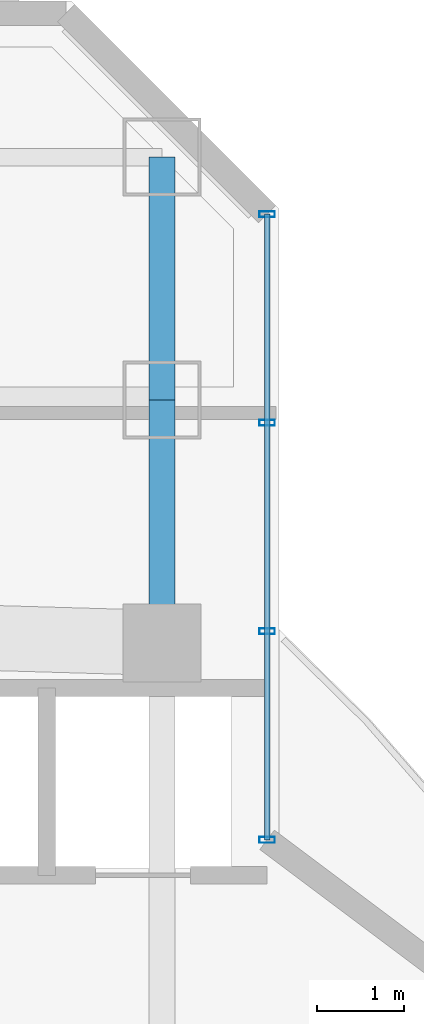
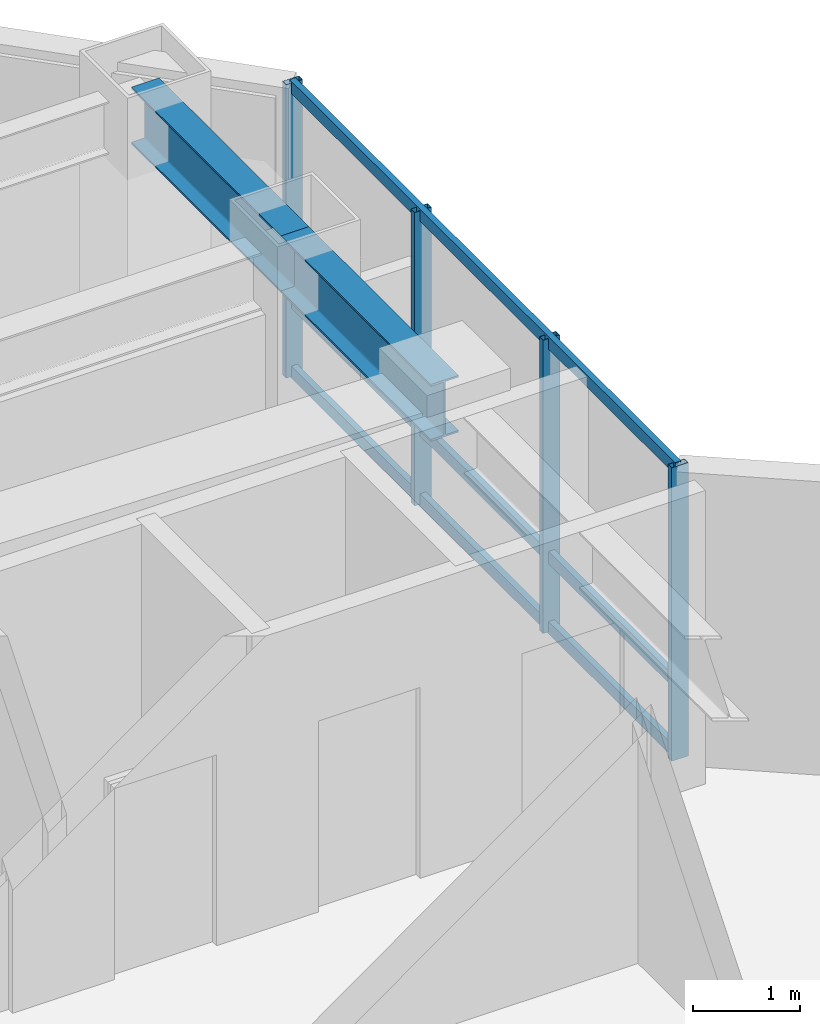
# One storey, part 19 of 29: 7 members, 2 beams, 1 element without a shape of its own.
"""IFC4 building model written with IfcOpenShell, lengths in metres."""

from ifc_helpers import new_model, si_unit, direction, frame, origin, origin_2d, place, context, subcontext, project, spatial, hollow_rectangle, i_section, extrude, material, layer, layer_set, material_profile, profile_set, type_object, element, aggregate, save


model = new_model("IFC4")

# Units and contexts
model_context = context("Model", 3, precision=1e-05, world=origin(), true_north=direction((0.0, 1.0)))
body_context = subcontext(model_context, "Body", "Model", "MODEL_VIEW")
ifc_project = project(units=[si_unit("LENGTHUNIT", "METRE"), si_unit("AREAUNIT", "SQUARE_METRE"), si_unit("VOLUMEUNIT", "CUBIC_METRE"), si_unit("PLANEANGLEUNIT", "RADIAN"), si_unit("MASSUNIT", "GRAM", prefix="KILO")], contexts=[model_context])

# Site, building, storey
site_placement = place(None, origin())
site = spatial("IfcSite", under=ifc_project, at=site_placement, CompositionType="ELEMENT")
building_placement = place(site_placement, origin())
building = spatial("IfcBuilding", under=site, at=building_placement, Name="Hatsunagi Terrace Concourse", CompositionType="ELEMENT")
storey_placement = place(building_placement, frame((0.0, 0.0, 104.85009765625)))
storey = spatial("IfcBuildingStorey", under=building, at=storey_placement, Name="L27", CompositionType="ELEMENT", Elevation=104.85009765625)

# Curtain wall, members
ifc_material_1 = material(Name="Anodised Aluminium Alloy 6063-T5", Category="aluminium")
ifc_layer = layer(ifc_material_1, 0.199951171875)
ifc_layer_set = layer_set([ifc_layer], Name="OfficeZone1_CW03")
curtain_wall_type = type_object("IfcCurtainWallType", Name="OfficeZone1_CW03", PredefinedType="NOTDEFINED", material=ifc_layer_set)
curtain_wall_placement = place(storey_placement, origin())
curtain_wall = element("IfcCurtainWall", 1, at=curtain_wall_placement, inside=storey, type_object=curtain_wall_type, Name="Unitised Curtain Wall CW-03 CW-L27-13", PredefinedType="NOTDEFINED")
ifc_material_2 = material(Name="Anodised Aluminium Alloy 6063-T5", Category="aluminium")
ifc_material_profile_1 = material_profile(ifc_material_2, hollow_rectangle(XDim=0.070068359375, YDim=0.179931640625, WallThickness=0.00390625, at=origin_2d()), Name="ALU-MUL-180x70x4")
ifc_profile_set_1 = profile_set([ifc_material_profile_1], Name="Anodised Aluminium Alloy 6063-T5")
member_type_1 = type_object("IfcMemberType", Name="CurtainWallMullion_180x70", PredefinedType="MULLION", material=ifc_profile_set_1)
member_1_placement = place(storey_placement, frame((44.860107421875, 47.94189453125, 0.0), z_axis=(0.0, 0.0, 1.0), x_axis=(0.0, -1.0, 0.0)))
member_1 = element("IfcMember", 2, at=member_1_placement, type_object=member_type_1, Name="Curtain Wall Mullion MUL-02", PredefinedType="MULLION", context=body_context, shape_type="SweptSolid", body=[
    extrude(hollow_rectangle(XDim=0.070068359375, YDim=0.179931640625, WallThickness=0.00390625, at=origin_2d()), origin(), (0.0, 0.0, 1.0), 3.349853515625),
])
member_2_placement = place(storey_placement, frame((44.860107421875, 45.5380859375, 0.0), z_axis=(0.0, 0.0, 1.0), x_axis=(0.0, -1.0, 0.0)))
member_2 = element("IfcMember", 3, at=member_2_placement, type_object=member_type_1, Name="Curtain Wall Mullion MUL-02", PredefinedType="MULLION", context=body_context, shape_type="SweptSolid", body=[
    extrude(hollow_rectangle(XDim=0.070068359375, YDim=0.179931640625, WallThickness=0.00390625, at=origin_2d()), origin(), (0.0, 0.0, 1.0), 3.349853515625),
])
member_3_placement = place(storey_placement, frame((44.860107421875, 43.134033203125, 0.0), z_axis=(0.0, 0.0, 1.0), x_axis=(0.0, -1.0, 0.0)))
member_3 = element("IfcMember", 4, at=member_3_placement, type_object=member_type_1, Name="Curtain Wall Mullion MUL-02", PredefinedType="MULLION", context=body_context, shape_type="SweptSolid", body=[
    extrude(hollow_rectangle(XDim=0.070068359375, YDim=0.179931640625, WallThickness=0.00390625, at=origin_2d()), origin(), (0.0, 0.0, 1.0), 3.349853515625),
])
member_4_placement = place(storey_placement, frame((44.860107421875, 40.72998046875, 0.0), z_axis=(0.0, 0.0, 1.0), x_axis=(0.0, -1.0, 0.0)))
member_4 = element("IfcMember", 5, at=member_4_placement, type_object=member_type_1, Name="Curtain Wall Mullion MUL-02", PredefinedType="MULLION", context=body_context, shape_type="SweptSolid", body=[
    extrude(hollow_rectangle(XDim=0.070068359375, YDim=0.179931640625, WallThickness=0.00390625, at=origin_2d()), origin(), (0.0, 0.0, 1.0), 3.349853515625),
])
ifc_material_3 = material(Name="Anodised Aluminium Alloy 6063-T5", Category="aluminium")
ifc_material_profile_2 = material_profile(ifc_material_3, hollow_rectangle(XDim=0.06494140625, YDim=0.139892578125, WallThickness=0.00390625, at=origin_2d()), Name="ALU-TRN-140x65x4")
ifc_profile_set_2 = profile_set([ifc_material_profile_2], Name="Anodised Aluminium Alloy 6063-T5")
member_type_2 = type_object("IfcMemberType", Name="CurtainWallTransom_140x65", PredefinedType="USERDEFINED", material=ifc_profile_set_2)
member_5_placement = place(storey_placement, frame((44.860107421875, 47.94189453125, 0.0498046875), z_axis=(0.0, -1.0, 0.0), x_axis=(1.0, 0.0, 0.0)))
member_5 = element("IfcMember", 6, at=member_5_placement, type_object=member_type_2, Name="Curtain Wall Transom TRN-02", ObjectType="TRANSOM", PredefinedType="USERDEFINED", context=body_context, shape_type="SweptSolid", body=[
    extrude(hollow_rectangle(XDim=0.06494140625, YDim=0.139892578125, WallThickness=0.00390625, at=origin_2d()), origin(), (0.0, 0.0, 1.0), 7.2119140625),
])
member_6_placement = place(storey_placement, frame((44.860107421875, 47.94189453125, 0.849853515625), z_axis=(0.0, -1.0, 0.0), x_axis=(1.0, 0.0, 0.0)))
member_6 = element("IfcMember", 7, at=member_6_placement, type_object=member_type_2, Name="Curtain Wall Transom TRN-02", ObjectType="TRANSOM", PredefinedType="USERDEFINED", context=body_context, shape_type="SweptSolid", body=[
    extrude(hollow_rectangle(XDim=0.06494140625, YDim=0.139892578125, WallThickness=0.00390625, at=origin_2d()), origin(), (0.0, 0.0, 1.0), 7.2119140625),
])
member_7_placement = place(storey_placement, frame((44.860107421875, 47.94189453125, 3.2998046875), z_axis=(0.0, -1.0, 0.0), x_axis=(1.0, 0.0, 0.0)))
member_7 = element("IfcMember", 8, at=member_7_placement, type_object=member_type_2, Name="Curtain Wall Transom TRN-02", ObjectType="TRANSOM", PredefinedType="USERDEFINED", context=body_context, shape_type="SweptSolid", body=[
    extrude(hollow_rectangle(XDim=0.06494140625, YDim=0.139892578125, WallThickness=0.00390625, at=origin_2d()), origin(), (0.0, 0.0, 1.0), 7.2119140625),
])
aggregate(curtain_wall, [member_1, member_2, member_3, member_4, member_5, member_6, member_7])

# Beams
ifc_material_4 = material(Name="Steel SN490B", Category="steel")
ifc_material_profile_3 = material_profile(ifc_material_4, i_section(OverallWidth=0.300048828125, OverallDepth=0.64990234375, WebThickness=0.012939453125, FlangeThickness=0.02197265625, FilletRadius=0.01806640625, at=origin_2d()), Name="H-650x300x13x22")
ifc_profile_set_3 = profile_set([ifc_material_profile_3], Name="Steel SN490B")
beam_type = type_object("IfcBeamType", Name="OfficeLowGirder_H_650x300", PredefinedType="BEAM", material=ifc_profile_set_3)
for number, where, z_axis, x_axis, name in (
    (9, (43.64990234375, 43.0, 3.02490234375), (0.0, 1.0, 0.0), (-1.0, 0.0, 0.0), "Beam G-05 BM-L27-CN3"),
    (10, (43.64990234375, 45.800048828125, 3.02490234375), (0.0, 1.0, 0.0), (-1.0, 0.0, 0.0), "Beam G-05 BM-L27-KN-WN6"),
):
    element("IfcBeam", number, at=place(storey_placement, frame(where, z_axis=z_axis, x_axis=x_axis)), inside=storey, type_object=beam_type, Name=name, PredefinedType="BEAM", context=body_context, shape_type="SweptSolid", body=[
        extrude(i_section(OverallWidth=0.300048828125, OverallDepth=0.64990234375, WebThickness=0.012939453125, FlangeThickness=0.02197265625, FilletRadius=0.01806640625, at=origin_2d()), origin(), (0.0, 0.0, 1.0), 2.800048828125),
    ])

save(model, "model.ifc")
